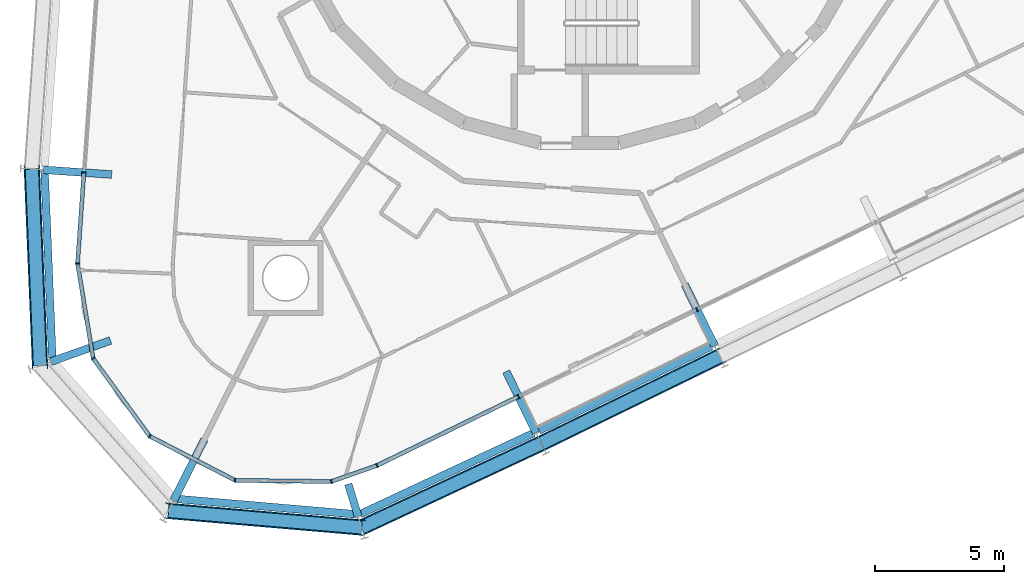
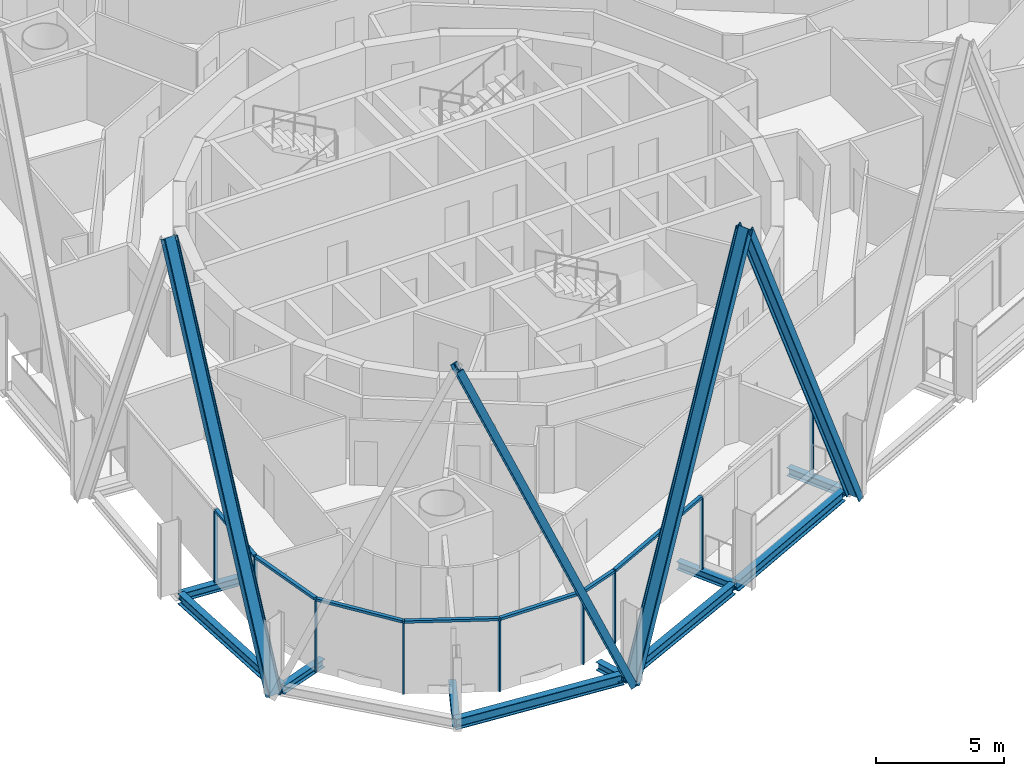
# One storey, part 2 of 18: 20 members, 10 beams, 2 elements without a shape of their own.
"""IFC4 building model written with IfcOpenShell, lengths in metres."""

from ifc_helpers import new_model, si_unit, direction, frame, origin, origin_2d, place, context, subcontext, project, spatial, rectangle, i_section, extrude, material, layer, layer_set, material_profile, profile_set, type_object, element, aggregate, save


model = new_model("IFC4")

# Units and contexts
model_context = context("Model", 3, precision=1e-05, world=origin(), true_north=direction((0.0, 1.0)))
body_context = subcontext(model_context, "Body", "Model", "MODEL_VIEW")
ifc_project = project(units=[si_unit("LENGTHUNIT", "METRE"), si_unit("AREAUNIT", "SQUARE_METRE"), si_unit("VOLUMEUNIT", "CUBIC_METRE"), si_unit("PLANEANGLEUNIT", "RADIAN"), si_unit("MASSUNIT", "GRAM", prefix="KILO")], contexts=[model_context])

# Site, building, storey
site_placement = place(None, origin())
site = spatial("IfcSite", under=ifc_project, at=site_placement, CompositionType="ELEMENT")
building_placement = place(site_placement, origin())
building = spatial("IfcBuilding", under=site, at=building_placement, Name="Spindle Arch Residences", CompositionType="ELEMENT")
storey_placement = place(building_placement, frame((0.0, 0.0, 202.39990234375)))
storey = spatial("IfcBuildingStorey", under=building, at=storey_placement, Name="L51", CompositionType="ELEMENT", Elevation=202.39990234375)

# Curtain wall, members
ifc_material_1 = material(Name="Aluminium bronze unitised frame with tinted glass", Category="aluminium")
ifc_layer_1 = layer(ifc_material_1, 0.159912109375)
ifc_layer_set_1 = layer_set([ifc_layer_1], Name="CW-D corner wall on the fillet arcs")
curtain_wall_type_1 = type_object("IfcCurtainWallType", Name="CW-D corner wall on the fillet arcs", PredefinedType="NOTDEFINED", material=ifc_layer_set_1)
curtain_wall_1_placement = place(storey_placement, origin())
curtain_wall_1 = element("IfcCurtainWall", 1, at=curtain_wall_1_placement, inside=storey, type_object=curtain_wall_type_1, Name="CW-D L51 run 5", PredefinedType="NOTDEFINED")
ifc_material_2 = material(Name="Aluminium bronze anodised mullion", Category="aluminium")
ifc_material_profile_1 = material_profile(ifc_material_2, rectangle(XDim=0.159912109375, YDim=0.06005859375, at=origin_2d()), Name="MU 60x160")
ifc_profile_set_1 = profile_set([ifc_material_profile_1], Name="Aluminium bronze anodised mullion")
member_type_1 = type_object("IfcMemberType", Name="Bronze mullion 60x160", PredefinedType="MULLION", material=ifc_profile_set_1)
member_1_placement = place(storey_placement, frame((-19.2001953125, -12.796875, -0.3798828125), z_axis=(0.0, 0.0, 1.0), x_axis=(0.99756405026, -0.069756473744, 0.0)))
member_1 = element("IfcMember", 2, at=member_1_placement, type_object=member_type_1, Name="CW-D mullion 00", PredefinedType="MULLION", context=body_context, shape_type="SweptSolid", body=[
    extrude(rectangle(XDim=0.159912109375, YDim=0.06005859375, at=origin_2d()), origin(), (0.0, 0.0, 1.0), 3.3798828125),
])
member_2_placement = place(storey_placement, frame((-19.4462890625, -16.31689453125, -0.3798828125), z_axis=(0.0, 0.0, 1.0), x_axis=(0.986761531666, 0.162177925821, 0.0)))
member_2 = element("IfcMember", 3, at=member_2_placement, type_object=member_type_1, Name="CW-D mullion 01", PredefinedType="MULLION", context=body_context, shape_type="SweptSolid", body=[
    extrude(rectangle(XDim=0.159912109375, YDim=0.06005859375, at=origin_2d()), origin(), (0.0, 0.0, 1.0), 3.3798828125),
])
member_3_placement = place(storey_placement, frame((-18.842041015625, -19.994140625, -0.3798828125), z_axis=(0.0, 0.0, 1.0), x_axis=(0.809016992641, 0.587785254679, 0.0)))
member_3 = element("IfcMember", 4, at=member_3_placement, type_object=member_type_1, Name="CW-D mullion 02", PredefinedType="MULLION", context=body_context, shape_type="SweptSolid", body=[
    extrude(rectangle(XDim=0.159912109375, YDim=0.06005859375, at=origin_2d()), origin(), (0.0, 0.0, 1.0), 3.3798828125),
])
member_4_placement = place(storey_placement, frame((-16.6513671875, -23.00927734375, -0.3798828125), z_axis=(0.0, 0.0, 1.0), x_axis=(0.459166453025, 0.88835025098, 0.0)))
member_4 = element("IfcMember", 5, at=member_4_placement, type_object=member_type_1, Name="CW-D mullion 03", PredefinedType="MULLION", context=body_context, shape_type="SweptSolid", body=[
    extrude(rectangle(XDim=0.159912109375, YDim=0.06005859375, at=origin_2d()), origin(), (0.0, 0.0, 1.0), 3.3798828125),
])
member_5_placement = place(storey_placement, frame((-13.3408203125, -24.720458984375, -0.3798828125), z_axis=(0.0, 0.0, 1.0), x_axis=(0.011635263346, 0.999932308032, 0.0)))
member_5 = element("IfcMember", 6, at=member_5_placement, type_object=member_type_1, Name="CW-D mullion 04", PredefinedType="MULLION", context=body_context, shape_type="SweptSolid", body=[
    extrude(rectangle(XDim=0.159912109375, YDim=0.06005859375, at=origin_2d()), origin(), (0.0, 0.0, 1.0), 3.3798828125),
])
member_6_placement = place(storey_placement, frame((-9.6142578125, -24.763916015625, -0.3798828125), z_axis=(0.0, 0.0, 1.0), x_axis=(-0.33106342198, 0.943608504957, 0.0)))
member_6 = element("IfcMember", 7, at=member_6_placement, type_object=member_type_1, Name="CW-D mullion 05", PredefinedType="MULLION", context=body_context, shape_type="SweptSolid", body=[
    extrude(rectangle(XDim=0.159912109375, YDim=0.06005859375, at=origin_2d()), origin(), (0.0, 0.0, 1.0), 3.3798828125),
])
member_7_placement = place(storey_placement, frame((-7.843994140625, -24.142822265625, -0.3798828125), z_axis=(0.0, 0.0, 1.0), x_axis=(-0.438371146789, 0.898794046299, 0.0)))
member_7 = element("IfcMember", 8, at=member_7_placement, type_object=member_type_1, Name="CW-D mullion 06", PredefinedType="MULLION", context=body_context, shape_type="SweptSolid", body=[
    extrude(rectangle(XDim=0.159912109375, YDim=0.06005859375, at=origin_2d()), origin(), (0.0, 0.0, 1.0), 3.3798828125),
])

ifc_material_3 = material(Name="Aluminium bronze unitised frame with tinted glass", Category="aluminium")
ifc_layer_2 = layer(ifc_material_3, 0.159912109375)
ifc_layer_set_2 = layer_set([ifc_layer_2], Name="CW-C typical residential unitised wall")
curtain_wall_type_2 = type_object("IfcCurtainWallType", Name="CW-C typical residential unitised wall", PredefinedType="NOTDEFINED", material=ifc_layer_set_2)
curtain_wall_2_placement = place(storey_placement, origin())
curtain_wall_2 = element("IfcCurtainWall", 9, at=curtain_wall_2_placement, inside=storey, type_object=curtain_wall_type_2, Name="CW-C L51 run 6", PredefinedType="NOTDEFINED")
member_8_placement = place(storey_placement, frame((-2.36767578125, -21.4716796875, -0.3798828125), z_axis=(0.0, 0.0, 1.0), x_axis=(-0.438371146789, 0.898794046299, 0.0)))
member_8 = element("IfcMember", 10, at=member_8_placement, type_object=member_type_1, Name="CW-C mullion 20", PredefinedType="MULLION", context=body_context, shape_type="SweptSolid", body=[
    extrude(rectangle(XDim=0.159912109375, YDim=0.06005859375, at=origin_2d()), origin(), (0.0, 0.0, 1.0), 3.3798828125),
])
member_9_placement = place(storey_placement, frame((4.54736328125, -18.09912109375, -0.3798828125), z_axis=(0.0, 0.0, 1.0), x_axis=(-0.438371146789, 0.898794046299, 0.0)))
member_9 = element("IfcMember", 11, at=member_9_placement, type_object=member_type_1, Name="CW-C mullion 21", PredefinedType="MULLION", context=body_context, shape_type="SweptSolid", body=[
    extrude(rectangle(XDim=0.159912109375, YDim=0.06005859375, at=origin_2d()), origin(), (0.0, 0.0, 1.0), 3.3798828125),
])
aggregate(curtain_wall_2, [member_8, member_9])

# Member
ifc_material_4 = material(Name="Aluminium bronze anodised transom", Category="aluminium")
ifc_material_profile_2 = material_profile(ifc_material_4, rectangle(XDim=0.159912109375, YDim=0.1201171875, at=origin_2d()), Name="TR 120x160")
ifc_profile_set_2 = profile_set([ifc_material_profile_2], Name="Aluminium bronze anodised transom")
member_type_2 = type_object("IfcMemberType", Name="Bronze transom 120x160", PredefinedType="USERDEFINED", material=ifc_profile_set_2)
member_10_placement = place(storey_placement, frame((-19.202392578125, -12.826904296875, 3.06005859375), z_axis=(-0.069756279092, -0.997564063871, 0.0), x_axis=(0.997564063871, -0.069756279092, 0.0)))
member_10 = element("IfcMember", 12, at=member_10_placement, type_object=member_type_2, Name="CW-D transom 00", ObjectType="TRANSOM", PredefinedType="USERDEFINED", context=body_context, shape_type="SweptSolid", body=[
    extrude(rectangle(XDim=0.159912109375, YDim=0.1201171875, at=origin_2d()), origin(), (0.0, 0.0, 1.0), 3.468505859375),
])

member_11_placement = place(storey_placement, frame((-19.44140625, -16.346435546875, 3.06005859375), z_axis=(0.162131110814, -0.986769224746, 0.0), x_axis=(0.986769224746, 0.162131110814, 0.0)))
member_11 = element("IfcMember", 13, at=member_11_placement, type_object=member_type_2, Name="CW-D transom 01", ObjectType="TRANSOM", PredefinedType="USERDEFINED", context=body_context, shape_type="SweptSolid", body=[
    extrude(rectangle(XDim=0.159912109375, YDim=0.1201171875, at=origin_2d()), origin(), (0.0, 0.0, 1.0), 3.666748046875),
])

member_12_placement = place(storey_placement, frame((-18.82421875, -20.0185546875, 3.06005859375), z_axis=(0.587807403161, -0.809000900363, 0.0), x_axis=(0.809000900363, 0.587807403161, 0.0)))
member_12 = element("IfcMember", 14, at=member_12_placement, type_object=member_type_2, Name="CW-D transom 02", ObjectType="TRANSOM", PredefinedType="USERDEFINED", context=body_context, shape_type="SweptSolid", body=[
    extrude(rectangle(XDim=0.159912109375, YDim=0.1201171875, at=origin_2d()), origin(), (0.0, 0.0, 1.0), 3.666748046875),
])

member_13_placement = place(storey_placement, frame((-16.624755859375, -23.02294921875, 3.06005859375), z_axis=(0.888327233371, -0.459210982503, 0.0), x_axis=(0.459210982503, 0.888327233371, 0.0)))
member_13 = element("IfcMember", 15, at=member_13_placement, type_object=member_type_2, Name="CW-D transom 03", ObjectType="TRANSOM", PredefinedType="USERDEFINED", context=body_context, shape_type="SweptSolid", body=[
    extrude(rectangle(XDim=0.159912109375, YDim=0.1201171875, at=origin_2d()), origin(), (0.0, 0.0, 1.0), 3.666748046875),
])

member_14_placement = place(storey_placement, frame((-13.310791015625, -24.720703125, 3.06005859375), z_axis=(0.999932114398, -0.011651892397, 0.0), x_axis=(0.011651892397, 0.999932114398, 0.0)))
member_14 = element("IfcMember", 16, at=member_14_placement, type_object=member_type_2, Name="CW-D transom 04", ObjectType="TRANSOM", PredefinedType="USERDEFINED", context=body_context, shape_type="SweptSolid", body=[
    extrude(rectangle(XDim=0.159912109375, YDim=0.1201171875, at=origin_2d()), origin(), (0.0, 0.0, 1.0), 3.666748046875),
])

member_15_placement = place(storey_placement, frame((-9.5859375, -24.75390625, 3.06005859375), z_axis=(0.943591876762, 0.331110812432, 0.0), x_axis=(-0.331110812432, 0.943591876762, 0.0)))
member_15 = element("IfcMember", 17, at=member_15_placement, type_object=member_type_2, Name="CW-D transom 05", ObjectType="TRANSOM", PredefinedType="USERDEFINED", context=body_context, shape_type="SweptSolid", body=[
    extrude(rectangle(XDim=0.159912109375, YDim=0.1201171875, at=origin_2d()), origin(), (0.0, 0.0, 1.0), 1.816162109375),
])

member_16_placement = place(storey_placement, frame((-7.81689453125, -24.129638671875, 3.06005859375), z_axis=(0.898786724344, 0.438386158704, 0.0), x_axis=(-0.438386158704, 0.898786724344, 0.0)))
member_16 = element("IfcMember", 18, at=member_16_placement, type_object=member_type_2, Name="CW-D transom 06", ObjectType="TRANSOM", PredefinedType="USERDEFINED", context=body_context, shape_type="SweptSolid", body=[
    extrude(rectangle(XDim=0.159912109375, YDim=0.1201171875, at=origin_2d()), origin(), (0.0, 0.0, 1.0), 6.032958984375),
])

aggregate(curtain_wall_1, [member_1, member_10, member_2, member_11, member_3, member_12, member_4, member_13, member_5, member_14, member_6, member_15, member_7, member_16])

# Members
ifc_material_5 = material(Name="Steel S460ML, intumescent coating R 240", Category="steel")
ifc_material_profile_3 = material_profile(ifc_material_5, i_section(OverallWidth=0.304931640625, OverallDepth=0.6201171875, WebThickness=0.02099609375, FlangeThickness=0.0400390625, FilletRadius=0.027099609375, at=origin_2d()), Name="HEM 600")
ifc_profile_set_3 = profile_set([ifc_material_profile_3], Name="Steel S460ML, intumescent coating R 240")
member_type_3 = type_object("IfcMemberType", Name="Diagrid diagonal HEM 600", PredefinedType="BRACE", material=ifc_profile_set_3)
member_17_placement = place(storey_placement, frame((-20.899169921875, -20.273193359375, -0.6298828125), z_axis=(-0.016745360543, 0.403440346681, 0.914852709221), x_axis=(0.037939585118, -0.914065680053, 0.403787717037)))
element("IfcMember", 19, at=member_17_placement, inside=storey, type_object=member_type_3, Name="Diagrid diagonal 5.2.17", PredefinedType="BRACE", context=body_context, shape_type="SweptSolid", body=[
    extrude(i_section(OverallWidth=0.304931640625, OverallDepth=0.6201171875, WebThickness=0.02099609375, FlangeThickness=0.0400390625, FilletRadius=0.027099609375, at=origin_2d()), origin(), (0.0, 0.0, 1.0), 18.880615234375),
])
member_18_placement = place(storey_placement, frame((-8.446533203125, -26.543212890625, -0.6298828125), z_axis=(-0.397231160205, 0.034065051037, 0.917086134264), x_axis=(0.913732434009, -0.078358258658, 0.39868912995)))
element("IfcMember", 20, at=member_18_placement, inside=storey, type_object=member_type_3, Name="Diagrid diagonal 5.2.19", PredefinedType="BRACE", context=body_context, shape_type="SweptSolid", body=[
    extrude(i_section(OverallWidth=0.304931640625, OverallDepth=0.6201171875, WebThickness=0.02099609375, FlangeThickness=0.0400390625, FilletRadius=0.027099609375, at=origin_2d()), origin(), (0.0, 0.0, 1.0), 18.834716796875),
])
member_19_placement = place(storey_placement, frame((-8.446533203125, -26.543212890625, -0.6298828125), z_axis=(0.368356753578, 0.172208009034, 0.913596028734), x_axis=(-0.827619771889, -0.386914999576, 0.406623039537)))
element("IfcMember", 21, at=member_19_placement, inside=storey, type_object=member_type_3, Name="Diagrid diagonal 5.2.20", PredefinedType="BRACE", context=body_context, shape_type="SweptSolid", body=[
    extrude(i_section(OverallWidth=0.304931640625, OverallDepth=0.6201171875, WebThickness=0.02099609375, FlangeThickness=0.0400390625, FilletRadius=0.027099609375, at=origin_2d()), origin(), (0.0, 0.0, 1.0), 18.906494140625),
])
member_20_placement = place(storey_placement, frame((5.43310546875, -19.91455078125, -0.6298828125), z_axis=(-0.365713117458, -0.178369875293, 0.913475836192), x_axis=(0.821026935046, 0.400440851109, 0.40689297941)))
element("IfcMember", 22, at=member_20_placement, inside=storey, type_object=member_type_3, Name="Diagrid diagonal 5.2.21", PredefinedType="BRACE", context=body_context, shape_type="SweptSolid", body=[
    extrude(i_section(OverallWidth=0.304931640625, OverallDepth=0.6201171875, WebThickness=0.02099609375, FlangeThickness=0.0400390625, FilletRadius=0.027099609375, at=origin_2d()), origin(), (0.0, 0.0, 1.0), 18.908935546875),
])

# Beams
ifc_material_6 = material(Name="Steel S460ML, intumescent coating R 120", Category="steel")
ifc_material_profile_4 = material_profile(ifc_material_6, i_section(OverallWidth=0.300048828125, OverallDepth=0.5, WebThickness=0.014404296875, FlangeThickness=0.028076171875, FilletRadius=0.027099609375, at=origin_2d()), Name="HEB 500")
ifc_profile_set_4 = profile_set([ifc_material_profile_4], Name="Steel S460ML, intumescent coating R 120")
beam_type_1 = type_object("IfcBeamType", Name="Exoskeleton edge beam HEB 500", PredefinedType="BEAM", material=ifc_profile_set_4)
beam_1_placement = place(storey_placement, frame((-20.724609375, -12.719482421875, -0.6298828125), z_axis=(0.041509189308, -0.999138122185, 0.0), x_axis=(0.999138122185, 0.041509189308, 0.0)))
element("IfcBeam", 23, at=beam_1_placement, inside=storey, type_object=beam_type_1, Name="Exoskeleton edge beam 17", PredefinedType="BEAM", context=body_context, shape_type="SweptSolid", body=[
    extrude(i_section(OverallWidth=0.300048828125, OverallDepth=0.5, WebThickness=0.014404296875, FlangeThickness=0.028076171875, FilletRadius=0.027099609375, at=origin_2d()), origin(), (0.0, 0.0, 1.0), 7.36376953125),
])
beam_2_placement = place(storey_placement, frame((-15.7568359375, -25.42431640625, -0.6298828125), z_axis=(0.996340259924, -0.085475648313, 0.0), x_axis=(0.085475648313, 0.996340259924, 0.0)))
element("IfcBeam", 24, at=beam_2_placement, inside=storey, type_object=beam_type_1, Name="Exoskeleton edge beam 19", PredefinedType="BEAM", context=body_context, shape_type="SweptSolid", body=[
    extrude(i_section(OverallWidth=0.300048828125, OverallDepth=0.5, WebThickness=0.014404296875, FlangeThickness=0.028076171875, FilletRadius=0.027099609375, at=origin_2d()), origin(), (0.0, 0.0, 1.0), 7.249267578125),
])
beam_3_placement = place(storey_placement, frame((-8.508056640625, -26.0322265625, -0.6298828125), z_axis=(0.905883990605, 0.423525908966, 0.0), x_axis=(-0.423525908966, 0.905883990605, 0.0)))
element("IfcBeam", 25, at=beam_3_placement, inside=storey, type_object=beam_type_1, Name="Exoskeleton edge beam 20", PredefinedType="BEAM", context=body_context, shape_type="SweptSolid", body=[
    extrude(i_section(OverallWidth=0.300048828125, OverallDepth=0.5, WebThickness=0.014404296875, FlangeThickness=0.028076171875, FilletRadius=0.027099609375, at=origin_2d()), origin(), (0.0, 0.0, 1.0), 7.42822265625),
])
beam_4_placement = place(storey_placement, frame((-1.580078125, -22.789794921875, -0.6298828125), z_axis=(0.898804110297, 0.438350511935, 0.0), x_axis=(-0.438350511935, 0.898804110297, 0.0)))
element("IfcBeam", 26, at=beam_4_placement, inside=storey, type_object=beam_type_1, Name="Exoskeleton edge beam 21", PredefinedType="BEAM", context=body_context, shape_type="SweptSolid", body=[
    extrude(i_section(OverallWidth=0.300048828125, OverallDepth=0.5, WebThickness=0.014404296875, FlangeThickness=0.028076171875, FilletRadius=0.027099609375, at=origin_2d()), origin(), (0.0, 0.0, 1.0), 7.43359375),
])
ifc_material_7 = material(Name="Steel S460ML, intumescent coating R 120", Category="steel")
ifc_material_profile_5 = material_profile(ifc_material_7, i_section(OverallWidth=0.300048828125, OverallDepth=0.389892578125, WebThickness=0.010986328125, FlangeThickness=0.01904296875, FilletRadius=0.027099609375, at=origin_2d()), Name="HEA 400")
ifc_profile_set_5 = profile_set([ifc_material_profile_5], Name="Steel S460ML, intumescent coating R 120")
beam_type_2 = type_object("IfcBeamType", Name="Floor outrigger HEA 400", PredefinedType="BEAM", material=ifc_profile_set_5)
beam_5_placement = place(storey_placement, frame((-20.766357421875, -12.6875, -0.574951171875), z_axis=(0.997565124092, -0.069741115528, 0.0), x_axis=(0.069741115528, 0.997565124092, 0.0)))
element("IfcBeam", 27, at=beam_5_placement, inside=storey, type_object=beam_type_2, Name="Floor outrigger 17", PredefinedType="BEAM", context=body_context, shape_type="SweptSolid", body=[
    extrude(i_section(OverallWidth=0.300048828125, OverallDepth=0.389892578125, WebThickness=0.010986328125, FlangeThickness=0.01904296875, FilletRadius=0.027099609375, at=origin_2d()), origin(), (0.0, 0.0, 1.0), 2.64990234375),
])
beam_6_placement = place(storey_placement, frame((-20.475341796875, -20.1220703125, -0.574951171875), z_axis=(0.941908704104, 0.335869011868, 0.0), x_axis=(-0.335869011868, 0.941908704104, 0.0)))
element("IfcBeam", 28, at=beam_6_placement, inside=storey, type_object=beam_type_2, Name="Floor outrigger 18", PredefinedType="BEAM", context=body_context, shape_type="SweptSolid", body=[
    extrude(i_section(OverallWidth=0.300048828125, OverallDepth=0.389892578125, WebThickness=0.010986328125, FlangeThickness=0.01904296875, FilletRadius=0.027099609375, at=origin_2d()), origin(), (0.0, 0.0, 1.0), 2.448974609375),
])
beam_7_placement = place(storey_placement, frame((-15.725830078125, -25.49951171875, -0.574951171875), z_axis=(0.449717951116, 0.893170624486, 0.0), x_axis=(-0.893170624486, 0.449717951116, 0.0)))
element("IfcBeam", 29, at=beam_7_placement, inside=storey, type_object=beam_type_2, Name="Floor outrigger 19", PredefinedType="BEAM", context=body_context, shape_type="SweptSolid", body=[
    extrude(i_section(OverallWidth=0.300048828125, OverallDepth=0.389892578125, WebThickness=0.010986328125, FlangeThickness=0.01904296875, FilletRadius=0.027099609375, at=origin_2d()), origin(), (0.0, 0.0, 1.0), 2.649658203125),
])
beam_8_placement = place(storey_placement, frame((-8.57763671875, -26.11279296875, -0.574951171875), z_axis=(-0.291027903823, 0.956714565164, 0.0), x_axis=(-0.956714565164, -0.291027903823, 0.0)))
element("IfcBeam", 30, at=beam_8_placement, inside=storey, type_object=beam_type_2, Name="Floor outrigger 20", PredefinedType="BEAM", context=body_context, shape_type="SweptSolid", body=[
    extrude(i_section(OverallWidth=0.300048828125, OverallDepth=0.389892578125, WebThickness=0.010986328125, FlangeThickness=0.01904296875, FilletRadius=0.027099609375, at=origin_2d()), origin(), (0.0, 0.0, 1.0), 1.307861328125),
])
for number, where, z_axis, x_axis, name in (
    (31, (-1.679443359375, -22.8828125, -0.574951171875), (-0.438347395329, 0.898805630272, 0.0), (-0.898805630272, -0.438347395329, 0.0), "Floor outrigger 21"),
    (32, (5.235595703125, -19.510009765625, -0.574951171875), (-0.438383695602, 0.898787925725, 0.0), (-0.898787925725, -0.438383695602, 0.0), "Floor outrigger 22"),
):
    element("IfcBeam", number, at=place(storey_placement, frame(where, z_axis=z_axis, x_axis=x_axis)), inside=storey, type_object=beam_type_2, Name=name, PredefinedType="BEAM", context=body_context, shape_type="SweptSolid", body=[
        extrude(i_section(OverallWidth=0.300048828125, OverallDepth=0.389892578125, WebThickness=0.010986328125, FlangeThickness=0.01904296875, FilletRadius=0.027099609375, at=origin_2d()), origin(), (0.0, 0.0, 1.0), 2.64990234375),
    ])

save(model, "model.ifc")
